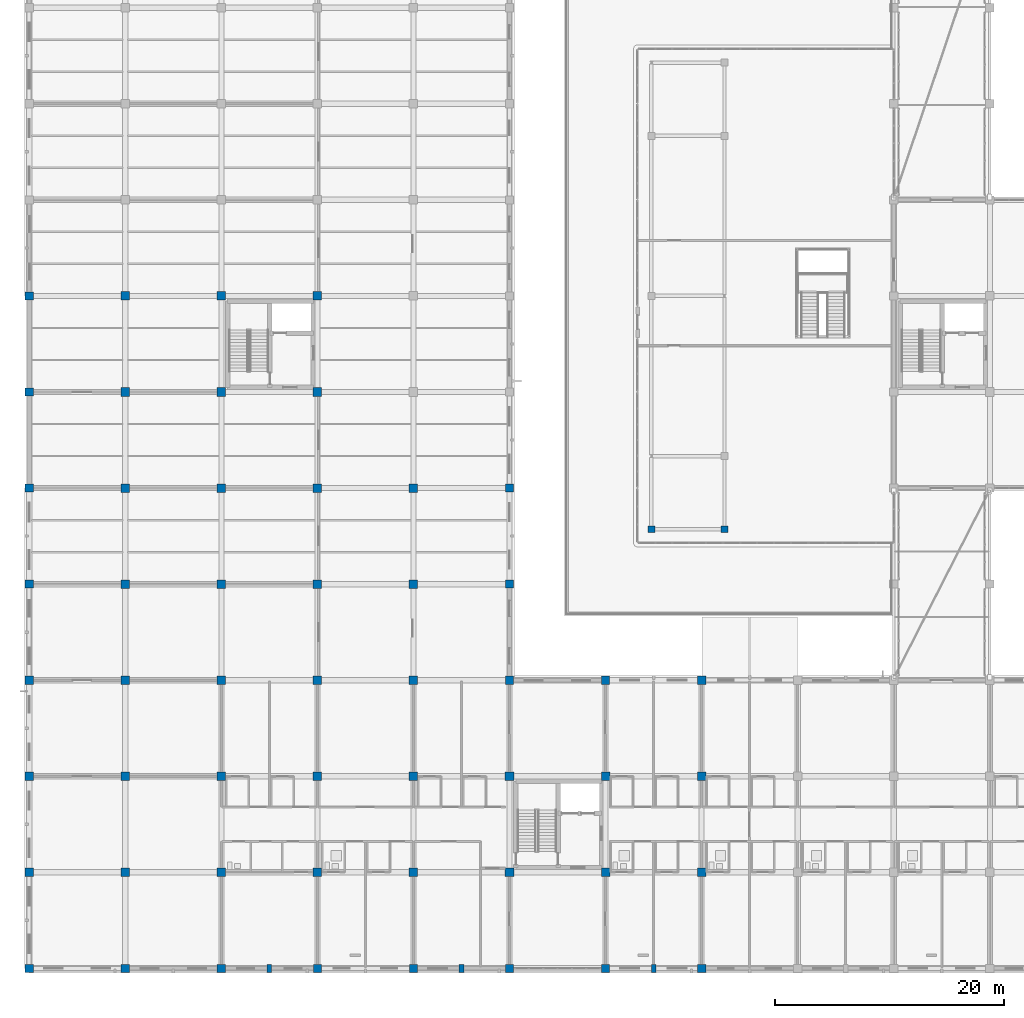
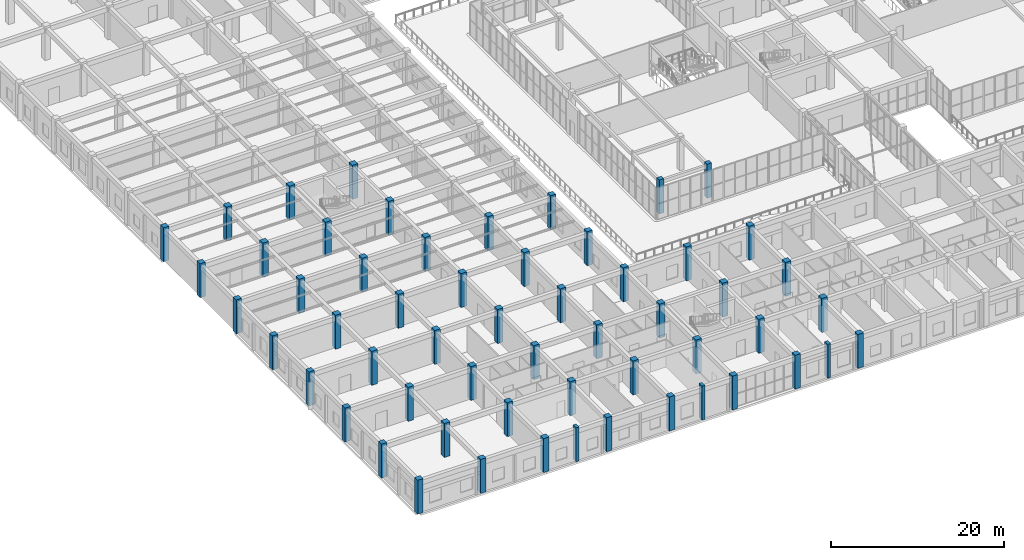
# One storey, part 1 of 158: 57 columns.
"""IFC4 building model written with IfcOpenShell, lengths in metres."""

from ifc_helpers import new_model, si_unit, direction, frame, origin, origin_2d, place, context, subcontext, project, spatial, rectangle, extrude, material, material_profile, profile_set, type_object, element, save


model = new_model("IFC4")

# Units and contexts
model_context = context("Model", 3, precision=1e-05, world=origin(), true_north=direction((0.0, 1.0)))
body_context = subcontext(model_context, "Body", "Model", "MODEL_VIEW")
ifc_project = project(units=[si_unit("LENGTHUNIT", "METRE"), si_unit("AREAUNIT", "SQUARE_METRE"), si_unit("VOLUMEUNIT", "CUBIC_METRE"), si_unit("PLANEANGLEUNIT", "RADIAN"), si_unit("MASSUNIT", "GRAM", prefix="KILO")], contexts=[model_context])

# Site, building, storey
site_placement = place(None, origin())
site = spatial("IfcSite", under=ifc_project, at=site_placement, CompositionType="ELEMENT")
building_placement = place(site_placement, origin())
building = spatial("IfcBuilding", under=site, at=building_placement, Name="Trelvath General Hospital", CompositionType="ELEMENT")
storey_placement = place(building_placement, frame((0.0, 0.0, 8.10009765625)))
storey = spatial("IfcBuildingStorey", under=building, at=storey_placement, Name="L02", CompositionType="ELEMENT", Elevation=8.10009765625)

# Columns
ifc_material_1 = material(Name="Concrete C40/50", Category="concrete")
ifc_material_profile_1 = material_profile(ifc_material_1, rectangle(XDim=0.60009765625, YDim=0.60009765625, at=origin_2d()), Name="RC600x600")
ifc_profile_set_1 = profile_set([ifc_material_profile_1], Name="Concrete C40/50")
column_type_1 = type_object("IfcColumnType", Name="Column RC600", PredefinedType="COLUMN", material=ifc_profile_set_1)
for number, where, z_axis, x_axis, name in (
    (1, (54.39990234375, 38.39990234375, 0.0), (0.0, 0.0, 1.0), (1.0, 0.0, 0.0), "Cube Interior Column CC-W11 L02"),
    (2, (60.800048828125, 38.39990234375, 0.0), (0.0, 0.0, 1.0), (1.0, 0.0, 0.0), "Cube Interior Column CC-W16 L02"),
):
    element("IfcColumn", number, at=place(storey_placement, frame(where, z_axis=z_axis, x_axis=x_axis)), inside=storey, type_object=column_type_1, Name=name, PredefinedType="COLUMN", context=body_context, shape_type="SweptSolid", body=[
        extrude(rectangle(XDim=0.60009765625, YDim=0.60009765625, at=origin_2d()), origin(), (0.0, 0.0, 1.0), 4.7998046875),
    ])
ifc_material_2 = material(Name="Concrete C40/50", Category="concrete")
ifc_material_profile_2 = material_profile(ifc_material_2, rectangle(XDim=0.719970703125, YDim=0.719970703125, at=origin_2d()), Name="RC720x720")
ifc_profile_set_2 = profile_set([ifc_material_profile_2], Name="Concrete C40/50")
column_type_2 = type_object("IfcColumnType", Name="Column RC720", PredefinedType="COLUMN", material=ifc_profile_set_2)
for number, where, z_axis, x_axis, name in (
    (3, (0.0, 0.0, 0.0), (0.0, 0.0, 1.0), (1.0, 0.0, 0.0), "Column C-1A L02"),
    (4, (0.0, 8.39990234375, 0.0), (0.0, 0.0, 1.0), (1.0, 0.0, 0.0), "Column C-1B L02"),
    (5, (0.0, 16.800048828125, 0.0), (0.0, 0.0, 1.0), (1.0, 0.0, 0.0), "Column C-1C L02"),
    (6, (0.0, 25.199951171875, 0.0), (0.0, 0.0, 1.0), (1.0, 0.0, 0.0), "Column C-1D L02"),
    (7, (0.0, 33.60009765625, 0.0), (0.0, 0.0, 1.0), (1.0, 0.0, 0.0), "Column C-1E L02"),
    (8, (0.0, 42.0, 0.0), (0.0, 0.0, 1.0), (1.0, 0.0, 0.0), "Column C-1F L02"),
    (9, (0.0, 50.39990234375, 0.0), (0.0, 0.0, 1.0), (1.0, 0.0, 0.0), "Column C-1G L02"),
    (10, (0.0, 58.800048828125, 0.0), (0.0, 0.0, 1.0), (1.0, 0.0, 0.0), "Column C-1H L02"),
    (11, (8.39990234375, 0.0, 0.0), (0.0, 0.0, 1.0), (1.0, 0.0, 0.0), "Column C-2A L02"),
    (12, (16.800048828125, 0.0, 0.0), (0.0, 0.0, 1.0), (1.0, 0.0, 0.0), "Column C-3A L02"),
    (13, (25.199951171875, 0.0, 0.0), (0.0, 0.0, 1.0), (1.0, 0.0, 0.0), "Column C-4A L02"),
    (14, (33.60009765625, 0.0, 0.0), (0.0, 0.0, 1.0), (1.0, 0.0, 0.0), "Column C-5A L02"),
    (15, (42.0, 0.0, 0.0), (0.0, 0.0, 1.0), (1.0, 0.0, 0.0), "Column C-6A L02"),
    (16, (42.0, 25.199951171875, 0.0), (0.0, 0.0, 1.0), (1.0, 0.0, 0.0), "Column C-6D L02"),
    (17, (42.0, 33.60009765625, 0.0), (0.0, 0.0, 1.0), (1.0, 0.0, 0.0), "Column C-6E L02"),
    (18, (42.0, 42.0, 0.0), (0.0, 0.0, 1.0), (1.0, 0.0, 0.0), "Column C-6F L02"),
    (19, (50.39990234375, 0.0, 0.0), (0.0, 0.0, 1.0), (1.0, 0.0, 0.0), "Column C-7A L02"),
    (20, (50.39990234375, 25.199951171875, 0.0), (0.0, 0.0, 1.0), (1.0, 0.0, 0.0), "Column C-7D L02"),
    (21, (58.800048828125, 0.0, 0.0), (0.0, 0.0, 1.0), (1.0, 0.0, 0.0), "Column C-8A L02"),
    (22, (58.800048828125, 25.199951171875, 0.0), (0.0, 0.0, 1.0), (1.0, 0.0, 0.0), "Column C-8D L02"),
):
    element("IfcColumn", number, at=place(storey_placement, frame(where, z_axis=z_axis, x_axis=x_axis)), inside=storey, type_object=column_type_2, Name=name, PredefinedType="COLUMN", context=body_context, shape_type="SweptSolid", body=[
        extrude(rectangle(XDim=0.719970703125, YDim=0.719970703125, at=origin_2d()), origin(), (0.0, 0.0, 1.0), 4.7998046875),
    ])
ifc_material_3 = material(Name="Concrete C40/50", Category="concrete")
ifc_material_profile_3 = material_profile(ifc_material_3, rectangle(XDim=0.75, YDim=0.75, at=origin_2d()), Name="RC750x750")
ifc_profile_set_3 = profile_set([ifc_material_profile_3], Name="Concrete C40/50")
column_type_3 = type_object("IfcColumnType", Name="Column RC750", PredefinedType="COLUMN", material=ifc_profile_set_3)
for number, where, z_axis, x_axis, name in (
    (23, (8.39990234375, 8.39990234375, 0.0), (0.0, 0.0, 1.0), (1.0, 0.0, 0.0), "Column C-2B L02"),
    (24, (8.39990234375, 16.800048828125, 0.0), (0.0, 0.0, 1.0), (1.0, 0.0, 0.0), "Column C-2C L02"),
    (25, (8.39990234375, 25.199951171875, 0.0), (0.0, 0.0, 1.0), (1.0, 0.0, 0.0), "Column C-2D L02"),
    (26, (8.39990234375, 33.60009765625, 0.0), (0.0, 0.0, 1.0), (1.0, 0.0, 0.0), "Column C-2E L02"),
    (27, (8.39990234375, 42.0, 0.0), (0.0, 0.0, 1.0), (1.0, 0.0, 0.0), "Column C-2F L02"),
    (28, (8.39990234375, 50.39990234375, 0.0), (0.0, 0.0, 1.0), (1.0, 0.0, 0.0), "Column C-2G L02"),
    (29, (8.39990234375, 58.800048828125, 0.0), (0.0, 0.0, 1.0), (1.0, 0.0, 0.0), "Column C-2H L02"),
    (30, (16.800048828125, 8.39990234375, 0.0), (0.0, 0.0, 1.0), (1.0, 0.0, 0.0), "Column C-3B L02"),
    (31, (16.800048828125, 16.800048828125, 0.0), (0.0, 0.0, 1.0), (1.0, 0.0, 0.0), "Column C-3C L02"),
    (32, (16.800048828125, 25.199951171875, 0.0), (0.0, 0.0, 1.0), (1.0, 0.0, 0.0), "Column C-3D L02"),
    (33, (16.800048828125, 33.60009765625, 0.0), (0.0, 0.0, 1.0), (1.0, 0.0, 0.0), "Column C-3E L02"),
    (34, (16.800048828125, 42.0, 0.0), (0.0, 0.0, 1.0), (1.0, 0.0, 0.0), "Column C-3F L02"),
    (35, (16.800048828125, 50.39990234375, 0.0), (0.0, 0.0, 1.0), (1.0, 0.0, 0.0), "Column C-3G L02"),
    (36, (16.800048828125, 58.800048828125, 0.0), (0.0, 0.0, 1.0), (1.0, 0.0, 0.0), "Column C-3H L02"),
    (37, (25.199951171875, 8.39990234375, 0.0), (0.0, 0.0, 1.0), (1.0, 0.0, 0.0), "Column C-4B L02"),
    (38, (25.199951171875, 16.800048828125, 0.0), (0.0, 0.0, 1.0), (1.0, 0.0, 0.0), "Column C-4C L02"),
    (39, (25.199951171875, 25.199951171875, 0.0), (0.0, 0.0, 1.0), (1.0, 0.0, 0.0), "Column C-4D L02"),
    (40, (25.199951171875, 33.60009765625, 0.0), (0.0, 0.0, 1.0), (1.0, 0.0, 0.0), "Column C-4E L02"),
    (41, (25.199951171875, 42.0, 0.0), (0.0, 0.0, 1.0), (1.0, 0.0, 0.0), "Column C-4F L02"),
    (42, (25.199951171875, 50.39990234375, 0.0), (0.0, 0.0, 1.0), (1.0, 0.0, 0.0), "Column C-4G L02"),
    (43, (25.199951171875, 58.800048828125, 0.0), (0.0, 0.0, 1.0), (1.0, 0.0, 0.0), "Column C-4H L02"),
    (44, (33.60009765625, 8.39990234375, 0.0), (0.0, 0.0, 1.0), (1.0, 0.0, 0.0), "Column C-5B L02"),
    (45, (33.60009765625, 16.800048828125, 0.0), (0.0, 0.0, 1.0), (1.0, 0.0, 0.0), "Column C-5C L02"),
    (46, (33.60009765625, 25.199951171875, 0.0), (0.0, 0.0, 1.0), (1.0, 0.0, 0.0), "Column C-5D L02"),
    (47, (33.60009765625, 33.60009765625, 0.0), (0.0, 0.0, 1.0), (1.0, 0.0, 0.0), "Column C-5E L02"),
    (48, (33.60009765625, 42.0, 0.0), (0.0, 0.0, 1.0), (1.0, 0.0, 0.0), "Column C-5F L02"),
    (49, (42.0, 8.39990234375, 0.0), (0.0, 0.0, 1.0), (1.0, 0.0, 0.0), "Column C-6B L02"),
    (50, (42.0, 16.800048828125, 0.0), (0.0, 0.0, 1.0), (1.0, 0.0, 0.0), "Column C-6C L02"),
    (51, (50.39990234375, 8.39990234375, 0.0), (0.0, 0.0, 1.0), (1.0, 0.0, 0.0), "Column C-7B L02"),
    (52, (50.39990234375, 16.800048828125, 0.0), (0.0, 0.0, 1.0), (1.0, 0.0, 0.0), "Column C-7C L02"),
    (53, (58.800048828125, 8.39990234375, 0.0), (0.0, 0.0, 1.0), (1.0, 0.0, 0.0), "Column C-8B L02"),
    (54, (58.800048828125, 16.800048828125, 0.0), (0.0, 0.0, 1.0), (1.0, 0.0, 0.0), "Column C-8C L02"),
):
    element("IfcColumn", number, at=place(storey_placement, frame(where, z_axis=z_axis, x_axis=x_axis)), inside=storey, type_object=column_type_3, Name=name, PredefinedType="COLUMN", context=body_context, shape_type="SweptSolid", body=[
        extrude(rectangle(XDim=0.75, YDim=0.75, at=origin_2d()), origin(), (0.0, 0.0, 1.0), 4.7998046875),
    ])
ifc_material_4 = material(Name="Concrete C40/50", Category="concrete")
ifc_material_profile_4 = material_profile(ifc_material_4, rectangle(XDim=0.39990234375, YDim=0.699951171875, at=origin_2d()), Name="RC400x700")
ifc_profile_set_4 = profile_set([ifc_material_profile_4], Name="Concrete C40/50")
column_type_4 = type_object("IfcColumnType", Name="Pilaster RC400x700", PredefinedType="PILASTER", material=ifc_profile_set_4)
for number, where, z_axis, x_axis, name in (
    (55, (21.0, 0.0, 0.0), (0.0, 0.0, 1.0), (1.0, 0.0, 0.0), "Facade Pilaster PL-S02 L02"),
    (56, (37.800048828125, 0.0, 0.0), (0.0, 0.0, 1.0), (1.0, 0.0, 0.0), "Facade Pilaster PL-S04 L02"),
    (57, (54.60009765625, 0.0, 0.0), (0.0, 0.0, 1.0), (1.0, 0.0, 0.0), "Facade Pilaster PL-S06 L02"),
):
    element("IfcColumn", number, at=place(storey_placement, frame(where, z_axis=z_axis, x_axis=x_axis)), inside=storey, type_object=column_type_4, Name=name, PredefinedType="PILASTER", context=body_context, shape_type="SweptSolid", body=[
        extrude(rectangle(XDim=0.39990234375, YDim=0.699951171875, at=origin_2d()), origin(), (0.0, 0.0, 1.0), 4.7998046875),
    ])

save(model, "model.ifc")
